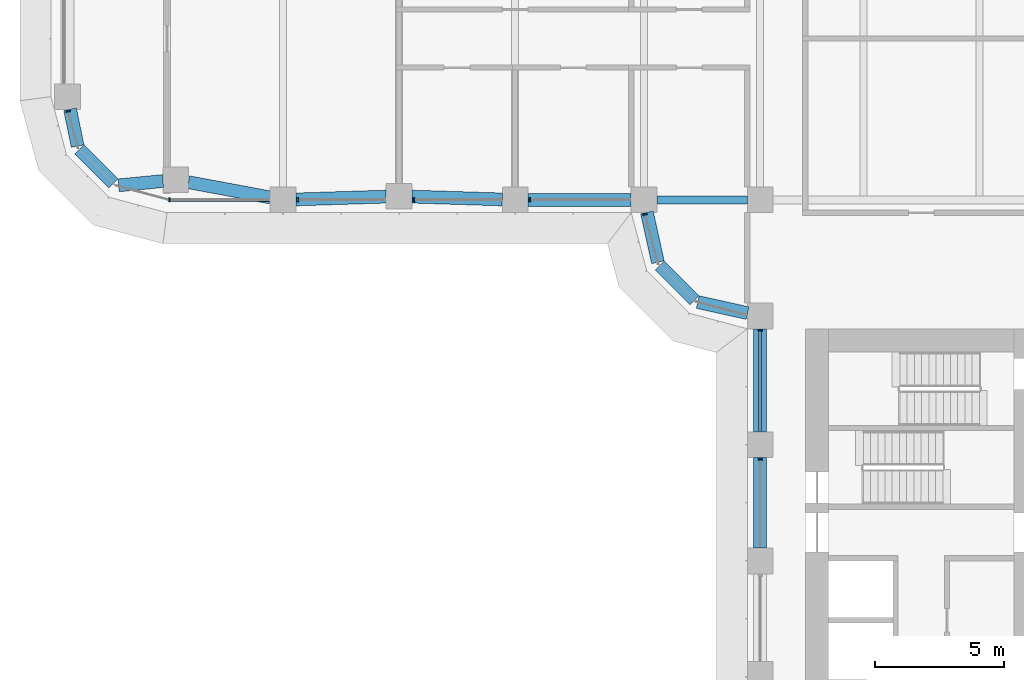
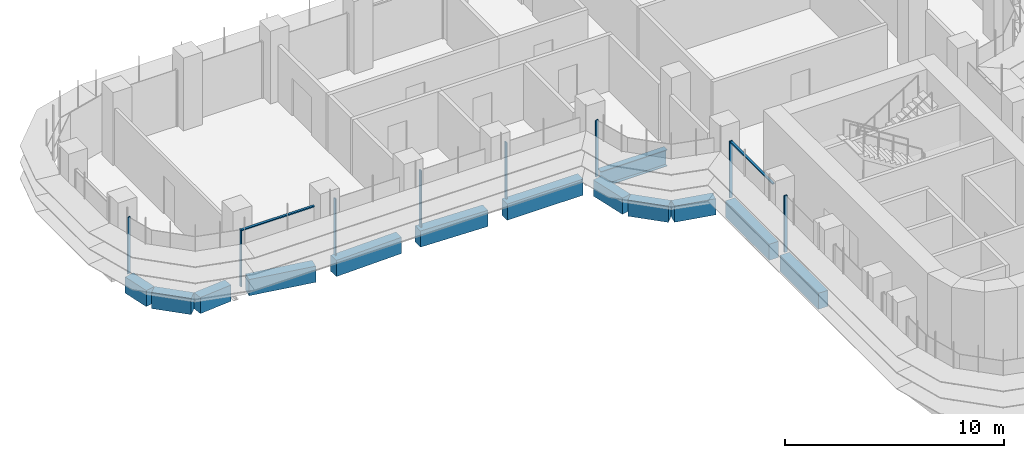
# One storey, part 3 of 23: 13 beams, 10 members, 4 elements without a shape of their own.
"""IFC4 building model written with IfcOpenShell, lengths in metres."""

from ifc_helpers import new_model, si_unit, direction, frame, origin, origin_2d, place, context, subcontext, project, spatial, polyline, rectangle, i_section, outline, extrude, source, transform, mapped, material, material_profile, profile_set, type_object, element, aggregate, save


model = new_model("IFC4")

# Units and contexts
model_context = context("Model", 3, precision=1e-05, world=origin(), true_north=direction((0.0, 1.0)))
body_context = subcontext(model_context, "Body", "Model", "MODEL_VIEW")
ifc_project = project(units=[si_unit("LENGTHUNIT", "METRE"), si_unit("AREAUNIT", "SQUARE_METRE"), si_unit("VOLUMEUNIT", "CUBIC_METRE"), si_unit("PLANEANGLEUNIT", "RADIAN"), si_unit("MASSUNIT", "GRAM", prefix="KILO")], contexts=[model_context])

# Site, building, storey
site_placement = place(None, origin())
site = spatial("IfcSite", under=ifc_project, at=site_placement, CompositionType="ELEMENT")
building_placement = place(site_placement, origin())
building = spatial("IfcBuilding", under=site, at=building_placement, Name="Zarbagh Exchange Tower", CompositionType="ELEMENT")
storey_placement = place(building_placement, frame((0.0, 0.0, 43.800048828125)))
storey = spatial("IfcBuildingStorey", under=building, at=storey_placement, Name="L09", CompositionType="ELEMENT", Elevation=43.800048828125)

# Beams
ifc_material_1 = material(Name="Steel ASTM A992 Gr 50", Category="steel")
ifc_material_profile_1 = material_profile(ifc_material_1, i_section(OverallWidth=0.3046875, OverallDepth=0.91943359375, WebThickness=0.017333984375, FlangeThickness=0.02783203125, at=origin_2d()), Name="W36X170")
ifc_profile_set_1 = profile_set([ifc_material_profile_1], Name="Steel ASTM A992 Gr 50")
beam_type_1 = type_object("IfcBeamType", Name="Floor girder W36X170", PredefinedType="BEAM", material=ifc_profile_set_1)
beam_1_placement = place(storey_placement, frame((-10.25, -6.25, -0.60986328125), z_axis=(1.0, 0.0, 0.0), x_axis=(0.0, 1.0, 0.0)))
element("IfcBeam", 1, at=beam_1_placement, inside=storey, type_object=beam_type_1, Name="Steel girder", PredefinedType="BEAM", context=body_context, shape_type="SweptSolid", body=[
    extrude(i_section(OverallWidth=0.3046875, OverallDepth=0.91943359375, WebThickness=0.017333984375, FlangeThickness=0.02783203125, at=origin_2d()), origin(), (0.0, 0.0, 1.0), 3.5),
])
ifc_material_2 = material(Name="Concrete C60/75", Category="concrete")
ifc_material_profile_2 = material_profile(ifc_material_2, rectangle(XDim=0.5, YDim=0.89990234375, at=origin_2d()), Name="RC spandrel beam 500 x 900 C60/75")
ifc_profile_set_2 = profile_set([ifc_material_profile_2], Name="Concrete C60/75")
beam_type_2 = type_object("IfcBeamType", Name="RC spandrel beam 500 x 900 C60/75", PredefinedType="SPANDREL", material=ifc_profile_set_2)
beam_2_placement = place(storey_placement, frame((-6.25, -19.75, -0.60009765625), z_axis=(0.0, 1.0, 0.0), x_axis=(-1.0, 0.0, 0.0)))
element("IfcBeam", 2, at=beam_2_placement, inside=storey, type_object=beam_type_2, Name="RC spandrel beam", PredefinedType="SPANDREL", context=body_context, shape_type="SweptSolid", body=[
    extrude(rectangle(XDim=0.5, YDim=0.89990234375, at=origin_2d()), origin(), (0.0, 0.0, 1.0), 3.5),
])
beam_3_placement = place(storey_placement, frame((-6.25, -15.25, -0.60009765625), z_axis=(0.0, 1.0, 0.0), x_axis=(-1.0, 0.0, 0.0)))
element("IfcBeam", 3, at=beam_3_placement, inside=storey, type_object=beam_type_2, Name="RC spandrel beam", PredefinedType="SPANDREL", context=body_context, shape_type="SweptSolid", body=[
    extrude(rectangle(XDim=0.5, YDim=0.89990234375, at=origin_2d()), origin(), (0.0, 0.0, 1.0), 4.0),
])
beam_4_placement = place(storey_placement, frame((-6.73828125, -10.64208984375, -0.60009765625), z_axis=(-0.976375426825, 0.216081063242, 0.0), x_axis=(-0.216081063242, -0.976375426825, 0.0)))
element("IfcBeam", 4, at=beam_4_placement, inside=storey, type_object=beam_type_2, Name="RC spandrel beam", PredefinedType="SPANDREL", context=body_context, shape_type="SweptSolid", body=[
    extrude(rectangle(XDim=0.5, YDim=0.89990234375, at=origin_2d()), origin(), (0.0, 0.0, 1.0), 1.978271484375),
])
beam_5_placement = place(storey_placement, frame((-8.792724609375, -10.147216796875, -0.60009765625), z_axis=(-0.707106781187, 0.707106781187, 0.0), x_axis=(-0.707106781187, -0.707106781187, 0.0)))
element("IfcBeam", 5, at=beam_5_placement, inside=storey, type_object=beam_type_2, Name="RC spandrel beam", PredefinedType="SPANDREL", context=body_context, shape_type="SweptSolid", body=[
    extrude(rectangle(XDim=0.5, YDim=0.89990234375, at=origin_2d()), origin(), (0.0, 0.0, 1.0), 1.91552734375),
])
beam_6_placement = place(storey_placement, frame((-10.214599609375, -8.669921875, -0.60009765625), z_axis=(-0.216081063242, 0.976375426825, 0.0), x_axis=(-0.976375426825, -0.216081063242, 0.0)))
element("IfcBeam", 6, at=beam_6_placement, inside=storey, type_object=beam_type_2, Name="RC spandrel beam", PredefinedType="SPANDREL", context=body_context, shape_type="SweptSolid", body=[
    extrude(rectangle(XDim=0.5, YDim=0.89990234375, at=origin_2d()), origin(), (0.0, 0.0, 1.0), 1.978271484375),
])
beam_7_placement = place(storey_placement, frame((-11.25, -6.25, -0.60009765625), z_axis=(-1.0, 0.0, 0.0), x_axis=(0.0, -1.0, 0.0)))
element("IfcBeam", 7, at=beam_7_placement, inside=storey, type_object=beam_type_2, Name="RC spandrel beam", PredefinedType="SPANDREL", context=body_context, shape_type="SweptSolid", body=[
    extrude(rectangle(XDim=0.5, YDim=0.89990234375, at=origin_2d()), origin(), (0.0, 0.0, 1.0), 4.0),
])
for number, where, z_axis, x_axis, name in (
    (8, (-16.249755859375, -6.234619140625, -0.60009765625), (-0.999514385708, 0.031160756759, 0.0), (-0.031160756759, -0.999514385708, 0.0), "RC spandrel beam"),
    (9, (-20.749755859375, -6.12548828125, -0.60009765625), (-0.999514385708, -0.031160756759, 0.0), (0.031160756759, -0.999514385708, 0.0), "RC spandrel beam"),
):
    element("IfcBeam", number, at=place(storey_placement, frame(where, z_axis=z_axis, x_axis=x_axis)), inside=storey, type_object=beam_type_2, Name=name, PredefinedType="SPANDREL", context=body_context, shape_type="SweptSolid", body=[
        extrude(rectangle(XDim=0.5, YDim=0.89990234375, at=origin_2d()), origin(), (0.0, 0.0, 1.0), 3.502197265625),
    ])
beam_8_placement = place(storey_placement, frame((-25.241455078125, -6.158447265625, -0.60009765625), z_axis=(-0.983069300761, 0.183234139565, 0.0), x_axis=(-0.183234139565, -0.983069300761, 0.0)))
element("IfcBeam", 10, at=beam_8_placement, inside=storey, type_object=beam_type_2, Name="RC spandrel beam", PredefinedType="SPANDREL", context=body_context, shape_type="SweptSolid", body=[
    extrude(rectangle(XDim=0.5, YDim=0.89990234375, at=origin_2d()), origin(), (0.0, 0.0, 1.0), 3.229736328125),
])
beam_9_placement = place(storey_placement, frame((-29.40576171875, -5.522705078125, -0.60009765625), z_axis=(-0.995431032456, -0.095483294999, 0.0), x_axis=(0.095483294999, -0.995431032456, 0.0)))
element("IfcBeam", 11, at=beam_9_placement, inside=storey, type_object=beam_type_2, Name="RC spandrel beam", PredefinedType="SPANDREL", context=body_context, shape_type="SweptSolid", body=[
    extrude(rectangle(XDim=0.5, YDim=0.89990234375, at=origin_2d()), origin(), (0.0, 0.0, 1.0), 1.725830078125),
])
beam_10_placement = place(storey_placement, frame((-31.324462890625, -5.615478515625, -0.60009765625), z_axis=(-0.707172099812, 0.707041456527, 0.0), x_axis=(-0.707041456527, -0.707172099812, 0.0)))
element("IfcBeam", 12, at=beam_10_placement, inside=storey, type_object=beam_type_2, Name="RC spandrel beam", PredefinedType="SPANDREL", context=body_context, shape_type="SweptSolid", body=[
    extrude(rectangle(XDim=0.5, YDim=0.89990234375, at=origin_2d()), origin(), (0.0, 0.0, 1.0), 1.86865234375),
])
beam_11_placement = place(storey_placement, frame((-32.714111328125, -4.16796875, -0.60009765625), z_axis=(-0.202068589164, 0.9793713725, 0.0), x_axis=(-0.9793713725, -0.202068589164, 0.0)))
element("IfcBeam", 13, at=beam_11_placement, inside=storey, type_object=beam_type_2, Name="RC spandrel beam", PredefinedType="SPANDREL", context=body_context, shape_type="SweptSolid", body=[
    extrude(rectangle(XDim=0.5, YDim=0.89990234375, at=origin_2d()), origin(), (0.0, 0.0, 1.0), 1.458251953125),
])

# Curtain wall, member
ifc_material_3 = material(Name="Anodised aluminium frame and glazing", Category="aluminium")
curtain_wall_type = type_object("IfcCurtainWallType", Name="CWA Ribbon glazing, lower zones", PredefinedType="NOTDEFINED", material=ifc_material_3)
curtain_wall_1_placement = place(storey_placement, origin())
curtain_wall_1 = element("IfcCurtainWall", 14, at=curtain_wall_1_placement, inside=storey, type_object=curtain_wall_type, Name="CWA37 curtain wall", PredefinedType="NOTDEFINED")
ifc_material_4 = material(Name="Anodised aluminium frame", Category="aluminium")
member_type_1 = type_object("IfcMemberType", Name="MUA Mullion, anodised aluminium frame", PredefinedType="MULLION", material=ifc_material_4)
shared_shape_1 = source(origin(), body_context, "Body", "SweptSolid", [
    extrude(outline(polyline([(0.0, -0.080078125), (0.06005859375, -0.080078125), (0.06005859375, 0.080078125), (0.0, 0.080078125), (0.0, -0.080078125)])), origin(), (0.0, 0.0, 1.0), 3.14990234375),
])
placement = place(storey_placement, origin())
member_1 = element("IfcMember", 15, at=placement, type_object=member_type_1, Name="CWA37 mullion 1.1", PredefinedType="MULLION", context=body_context, shape_type="MappedRepresentation", body=[
    mapped(shared_shape_1, transform((-33.087646484375, -2.7900390625, 0.0), x_axis=(0.258824779902, -0.965924289636, 0.0), y_axis=(0.965924289636, 0.258824779902, 0.0), z_axis=(0.0, 0.0, 1.0))),
])
aggregate(curtain_wall_1, [member_1])

# Curtain wall, members
curtain_wall_2_placement = place(storey_placement, origin())
curtain_wall_2 = element("IfcCurtainWall", 16, at=curtain_wall_2_placement, inside=storey, type_object=curtain_wall_type, Name="CWA40 curtain wall", PredefinedType="NOTDEFINED")
member_2 = element("IfcMember", 17, at=placement, type_object=member_type_1, Name="CWA40 mullion 1.1", PredefinedType="MULLION", context=body_context, shape_type="MappedRepresentation", body=[
    mapped(shared_shape_1, transform((-29.18408203125, -6.25, 0.0), x_axis=(1.0, 0.0, 0.0), y_axis=(0.0, 1.0, 0.0), z_axis=(0.0, 0.0, 1.0))),
])
member_3 = element("IfcMember", 18, at=placement, type_object=member_type_1, Name="CWA40 mullion 2.1", PredefinedType="MULLION", context=body_context, shape_type="MappedRepresentation", body=[
    mapped(shared_shape_1, transform((-24.2099609375, -6.25, 0.0), x_axis=(1.0, 0.0, 0.0), y_axis=(0.0, 1.0, 0.0), z_axis=(0.0, 0.0, 1.0))),
])
member_4 = element("IfcMember", 19, at=placement, type_object=member_type_1, Name="CWA40 mullion 3.1", PredefinedType="MULLION", context=body_context, shape_type="MappedRepresentation", body=[
    mapped(shared_shape_1, transform((-19.7099609375, -6.25, 0.0), x_axis=(1.0, 0.0, 0.0), y_axis=(0.0, 1.0, 0.0), z_axis=(0.0, 0.0, 1.0))),
])
member_5 = element("IfcMember", 20, at=placement, type_object=member_type_1, Name="CWA40 mullion 4.1", PredefinedType="MULLION", context=body_context, shape_type="MappedRepresentation", body=[
    mapped(shared_shape_1, transform((-15.2099609375, -6.25, 0.0), x_axis=(1.0, 0.0, 0.0), y_axis=(0.0, 1.0, 0.0), z_axis=(0.0, 0.0, 1.0))),
])

# Curtain wall, member
curtain_wall_3_placement = place(storey_placement, origin())
curtain_wall_3 = element("IfcCurtainWall", 21, at=curtain_wall_3_placement, inside=storey, type_object=curtain_wall_type, Name="CWA41 curtain wall", PredefinedType="NOTDEFINED")
member_6 = element("IfcMember", 22, at=placement, type_object=member_type_1, Name="CWA41 mullion 1.1", PredefinedType="MULLION", context=body_context, shape_type="MappedRepresentation", body=[
    mapped(shared_shape_1, transform((-10.7216796875, -6.7900390625, 0.0), x_axis=(0.258824779902, -0.965924289636, 0.0), y_axis=(0.965924289636, 0.258824779902, 0.0), z_axis=(0.0, 0.0, 1.0))),
])
aggregate(curtain_wall_3, [member_6])

# Curtain wall, members
curtain_wall_4_placement = place(storey_placement, origin())
curtain_wall_4 = element("IfcCurtainWall", 23, at=curtain_wall_4_placement, inside=storey, type_object=curtain_wall_type, Name="CWA44 curtain wall", PredefinedType="NOTDEFINED")
member_7 = element("IfcMember", 24, at=placement, type_object=member_type_1, Name="CWA44 mullion 1.1", PredefinedType="MULLION", context=body_context, shape_type="MappedRepresentation", body=[
    mapped(shared_shape_1, transform((-6.25, -11.2900390625, 0.0), x_axis=(0.0, -1.0, 0.0), y_axis=(1.0, 0.0, 0.0), z_axis=(0.0, 0.0, 1.0))),
])
member_8 = element("IfcMember", 25, at=placement, type_object=member_type_1, Name="CWA44 mullion 2.1", PredefinedType="MULLION", context=body_context, shape_type="MappedRepresentation", body=[
    mapped(shared_shape_1, transform((-6.25, -16.2900390625, 0.0), x_axis=(0.0, -1.0, 0.0), y_axis=(1.0, 0.0, 0.0), z_axis=(0.0, 0.0, 1.0))),
])
member_type_2 = type_object("IfcMemberType", Name="TRA Transom, anodised aluminium frame", PredefinedType="USERDEFINED", material=ifc_material_4)
shared_shape_2 = source(origin(), body_context, "Body", "SweptSolid", [
    extrude(outline(polyline([(-0.06005859375, -0.06005859375), (0.0, -0.06005859375), (0.0, 0.06005859375), (-0.06005859375, 0.06005859375), (-0.06005859375, -0.06005859375)])), origin(), (0.0, 0.0, 1.0), 3.860107421875),
])
member_9 = element("IfcMember", 26, at=placement, type_object=member_type_2, Name="CWA44 transom 1.1", ObjectType="TRANSOM", PredefinedType="USERDEFINED", context=body_context, shape_type="MappedRepresentation", body=[
    mapped(shared_shape_2, transform((-6.25, -11.35009765625, 3.14990234375), x_axis=(0.0, 0.0, 1.0), y_axis=(-1.0, 0.0, 0.0), z_axis=(0.0, -1.0, 0.0))),
])
aggregate(curtain_wall_4, [member_7, member_9, member_8])

# Member
shared_shape_3 = source(origin(), body_context, "Body", "SweptSolid", [
    extrude(outline(polyline([(-0.06005859375, -0.06005859375), (0.0, -0.06005859375), (0.0, 0.06005859375), (-0.06005859375, 0.06005859375), (-0.06005859375, -0.06005859375)])), origin(), (0.0, 0.0, 1.0), 3.834228515625),
])
member_10 = element("IfcMember", 27, at=placement, type_object=member_type_2, Name="CWA40 transom 1.1", ObjectType="TRANSOM", PredefinedType="USERDEFINED", context=body_context, shape_type="MappedRepresentation", body=[
    mapped(shared_shape_3, transform((-29.124267578125, -6.25, 3.14990234375), x_axis=(0.0, 0.0, 1.0), y_axis=(0.0, -1.0, 0.0), z_axis=(1.0, 0.0, 0.0))),
])

aggregate(curtain_wall_2, [member_2, member_10, member_3, member_4, member_5])

save(model, "model.ifc")
